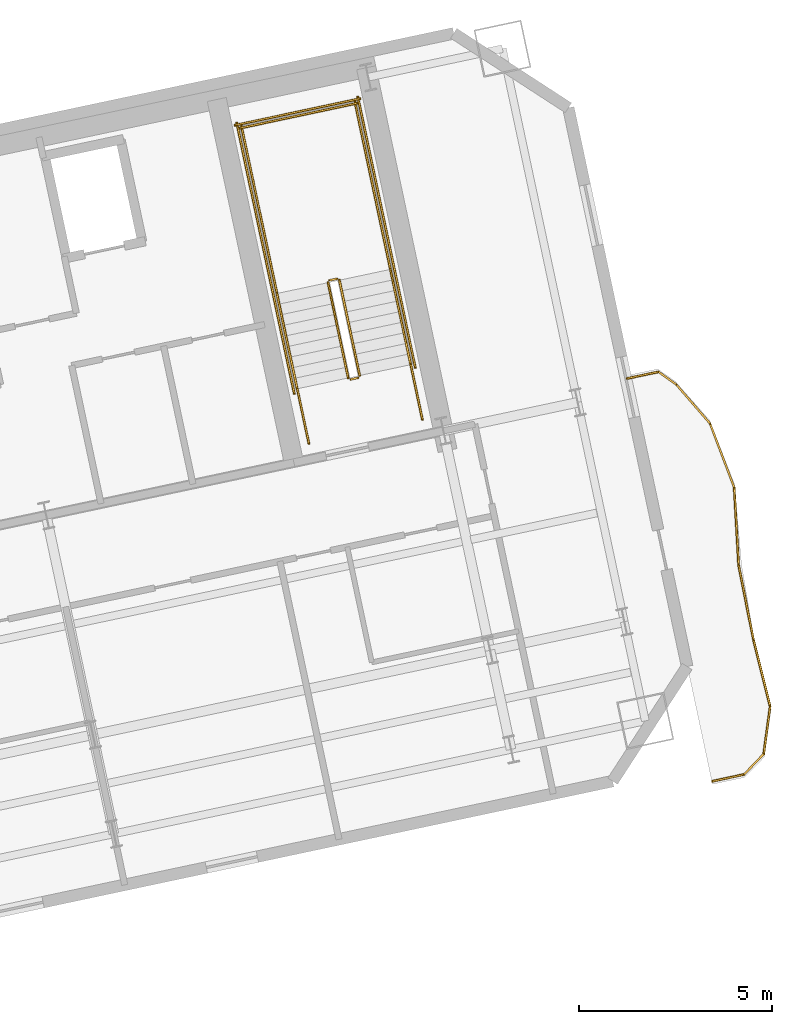
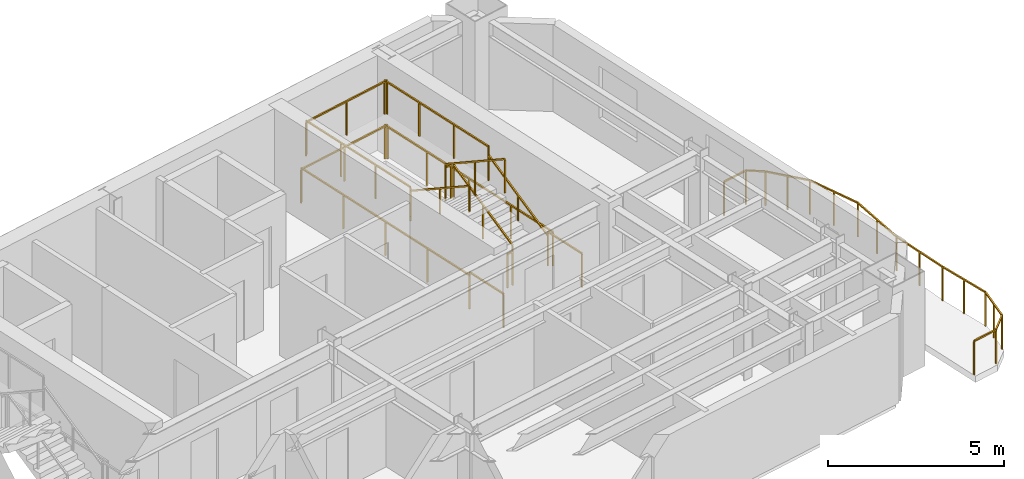
# One storey, part 14 of 14: 24 railings.
"""IFC4 building model written with IfcOpenShell, lengths in metres."""

from ifc_helpers import new_model, si_unit, direction, frame, origin, origin_2d, place, context, subcontext, project, spatial, rectangle, extrude, material, type_object, element, save


model = new_model("IFC4")

# Units and contexts
model_context = context("Model", 3, precision=1e-05, world=origin(), true_north=direction((0.0, 1.0)))
body_context = subcontext(model_context, "Body", "Model", "MODEL_VIEW")
ifc_project = project(units=[si_unit("LENGTHUNIT", "METRE"), si_unit("AREAUNIT", "SQUARE_METRE"), si_unit("VOLUMEUNIT", "CUBIC_METRE"), si_unit("PLANEANGLEUNIT", "RADIAN"), si_unit("MASSUNIT", "GRAM", prefix="KILO")], contexts=[model_context])

# Site, building, storey
site_placement = place(None, origin())
site = spatial("IfcSite", under=ifc_project, at=site_placement, CompositionType="ELEMENT")
building_placement = place(site_placement, origin())
building = spatial("IfcBuilding", under=site, at=building_placement, Name="Haevon Station Towers", CompositionType="ELEMENT")
storey_placement = place(building_placement, frame((0.0, 0.0, 179.10009765625)))
storey = spatial("IfcBuildingStorey", under=building, at=storey_placement, Name="L49", CompositionType="ELEMENT", Elevation=179.10009765625)

# Railings
ifc_material = material(Name="Steel S355", Category="steel")
railing_type_1 = type_object("IfcRailingType", Name="GRD-EXT1200", PredefinedType="GUARDRAIL", material=ifc_material)
railing_1_placement = place(storey_placement, frame((126.25244140625, 32.750244140625, 0.0)))
element("IfcRailing", 1, at=railing_1_placement, inside=storey, type_object=railing_type_1, Name="L49 Perimeter Guardrail 1", PredefinedType="GUARDRAIL", context=body_context, shape_type="SweptSolid", body=[
    extrude(rectangle(XDim=0.048095703125, YDim=0.048095703125, at=origin_2d()), frame((0.0, 0.0, 1.17578125), z_axis=(0.977678572445, 0.210106185017, 0.0), x_axis=(-0.210106185017, 0.977678572445, 0.0)), (0.0, 0.0, 1.0), 0.837890625),
    extrude(rectangle(XDim=0.0419921875, YDim=0.0419921875, at=origin_2d()), origin(), (0.0, 0.0, 1.0), 1.15185546875),
    extrude(rectangle(XDim=0.0419921875, YDim=0.0419921875, at=origin_2d()), frame((0.819091796875, 0.176025390625, 0.0)), (0.0, 0.0, 1.0), 1.15185546875),
])
railing_2_placement = place(storey_placement, frame((127.071533203125, 32.92626953125, 0.0)))
element("IfcRailing", 2, at=railing_2_placement, inside=storey, type_object=railing_type_1, Name="L49 Perimeter Guardrail 2", PredefinedType="GUARDRAIL", context=body_context, shape_type="SweptSolid", body=[
    extrude(rectangle(XDim=0.048095703125, YDim=0.048095703125, at=origin_2d()), frame((0.0, 0.0, 1.17578125), z_axis=(0.691571499126, 0.722308010198, 0.0), x_axis=(-0.722308010198, 0.691571499126, 0.0)), (0.0, 0.0, 1.0), 0.730712890625),
    extrude(rectangle(XDim=0.0419921875, YDim=0.0419921875, at=origin_2d()), origin(), (0.0, 0.0, 1.0), 1.15185546875),
    extrude(rectangle(XDim=0.0419921875, YDim=0.0419921875, at=origin_2d()), frame((0.50537109375, 0.52783203125, 0.0)), (0.0, 0.0, 1.0), 1.15185546875),
])
railing_3_placement = place(storey_placement, frame((127.576904296875, 33.4541015625, 0.0)))
element("IfcRailing", 3, at=railing_3_placement, inside=storey, type_object=railing_type_1, Name="L49 Perimeter Guardrail 3", PredefinedType="GUARDRAIL", context=body_context, shape_type="SweptSolid", body=[
    extrude(rectangle(XDim=0.048095703125, YDim=0.048095703125, at=origin_2d()), frame((0.0, 0.0, 1.17578125), z_axis=(0.134183834214, 0.990956456478, 0.0), x_axis=(-0.990956456478, 0.134183834214, 0.0)), (0.0, 0.0, 1.0), 1.24267578125),
    extrude(rectangle(XDim=0.0419921875, YDim=0.0419921875, at=origin_2d()), origin(), (0.0, 0.0, 1.0), 1.15185546875),
    extrude(rectangle(XDim=0.0419921875, YDim=0.0419921875, at=origin_2d()), frame((0.08349609375, 0.61572265625, 0.0)), (0.0, 0.0, 1.0), 1.15185546875),
    extrude(rectangle(XDim=0.0419921875, YDim=0.0419921875, at=origin_2d()), frame((0.166748046875, 1.2314453125, 0.0)), (0.0, 0.0, 1.0), 1.15185546875),
])
railing_4_placement = place(storey_placement, frame((127.74365234375, 34.685546875, 0.0)))
element("IfcRailing", 4, at=railing_4_placement, inside=storey, type_object=railing_type_1, Name="L49 Perimeter Guardrail 4", PredefinedType="GUARDRAIL", context=body_context, shape_type="SweptSolid", body=[
    extrude(rectangle(XDim=0.048095703125, YDim=0.048095703125, at=origin_2d()), frame((0.0, 0.0, 1.17578125), z_axis=(-0.243814635362, 0.969821851467, 0.0), x_axis=(-0.969821851467, -0.243814635362, 0.0)), (0.0, 0.0, 1.0), 1.751220703125),
    extrude(rectangle(XDim=0.0419921875, YDim=0.0419921875, at=origin_2d()), origin(), (0.0, 0.0, 1.0), 1.15185546875),
    extrude(rectangle(XDim=0.0419921875, YDim=0.0419921875, at=origin_2d()), frame((-0.21337890625, 0.84912109375, 0.0)), (0.0, 0.0, 1.0), 1.15185546875),
    extrude(rectangle(XDim=0.0419921875, YDim=0.0419921875, at=origin_2d()), frame((-0.427001953125, 1.698486328125, 0.0)), (0.0, 0.0, 1.0), 1.15185546875),
])
railing_5_placement = place(storey_placement, frame((127.316650390625, 36.384033203125, 0.0)))
element("IfcRailing", 5, at=railing_5_placement, inside=storey, type_object=railing_type_1, Name="L49 Perimeter Guardrail 5", PredefinedType="GUARDRAIL", context=body_context, shape_type="SweptSolid", body=[
    extrude(rectangle(XDim=0.048095703125, YDim=0.048095703125, at=origin_2d()), frame((0.0, 0.0, 1.17578125), z_axis=(-0.195384427419, 0.980726733358, 0.0), x_axis=(-0.980726733358, -0.195384427419, 0.0)), (0.0, 0.0, 1.0), 1.9892578125),
    extrude(rectangle(XDim=0.0419921875, YDim=0.0419921875, at=origin_2d()), origin(), (0.0, 0.0, 1.0), 1.15185546875),
    extrude(rectangle(XDim=0.0419921875, YDim=0.0419921875, at=origin_2d()), frame((-0.1943359375, 0.9755859375, 0.0)), (0.0, 0.0, 1.0), 1.15185546875),
    extrude(rectangle(XDim=0.0419921875, YDim=0.0419921875, at=origin_2d()), frame((-0.388671875, 1.950927734375, 0.0)), (0.0, 0.0, 1.0), 1.15185546875),
])
railing_6_placement = place(storey_placement, frame((126.927978515625, 38.3349609375, 0.0)))
element("IfcRailing", 6, at=railing_6_placement, inside=storey, type_object=railing_type_1, Name="L49 Perimeter Guardrail 6", PredefinedType="GUARDRAIL", context=body_context, shape_type="SweptSolid", body=[
    extrude(rectangle(XDim=0.048095703125, YDim=0.048095703125, at=origin_2d()), frame((0.0, 0.0, 1.17578125), z_axis=(-0.056784289916, 0.998386470471, 0.0), x_axis=(-0.998386470471, -0.056784289916, 0.0)), (0.0, 0.0, 1.0), 2.016357421875),
    extrude(rectangle(XDim=0.0419921875, YDim=0.0419921875, at=origin_2d()), origin(), (0.0, 0.0, 1.0), 1.15185546875),
    extrude(rectangle(XDim=0.0419921875, YDim=0.0419921875, at=origin_2d()), frame((-0.05712890625, 1.006591796875, 0.0)), (0.0, 0.0, 1.0), 1.15185546875),
    extrude(rectangle(XDim=0.0419921875, YDim=0.0419921875, at=origin_2d()), frame((-0.114501953125, 2.01318359375, 0.0)), (0.0, 0.0, 1.0), 1.15185546875),
])
railing_7_placement = place(storey_placement, frame((126.8134765625, 40.34814453125, 0.0)))
element("IfcRailing", 7, at=railing_7_placement, inside=storey, type_object=railing_type_1, Name="L49 Perimeter Guardrail 7", PredefinedType="GUARDRAIL", context=body_context, shape_type="SweptSolid", body=[
    extrude(rectangle(XDim=0.048095703125, YDim=0.048095703125, at=origin_2d()), frame((0.0, 0.0, 1.17578125), z_axis=(-0.353620917853, 0.935388821003, 0.0), x_axis=(-0.935388821003, -0.353620917853, 0.0)), (0.0, 0.0, 1.0), 1.766845703125),
    extrude(rectangle(XDim=0.0419921875, YDim=0.0419921875, at=origin_2d()), origin(), (0.0, 0.0, 1.0), 1.15185546875),
    extrude(rectangle(XDim=0.0419921875, YDim=0.0419921875, at=origin_2d()), frame((-0.3125, 0.826171875, 0.0)), (0.0, 0.0, 1.0), 1.15185546875),
    extrude(rectangle(XDim=0.0419921875, YDim=0.0419921875, at=origin_2d()), frame((-0.624755859375, 1.652587890625, 0.0)), (0.0, 0.0, 1.0), 1.15185546875),
])
railing_8_placement = place(storey_placement, frame((126.188720703125, 42.000732421875, 0.0)))
element("IfcRailing", 8, at=railing_8_placement, inside=storey, type_object=railing_type_1, Name="L49 Perimeter Guardrail 8", PredefinedType="GUARDRAIL", context=body_context, shape_type="SweptSolid", body=[
    extrude(rectangle(XDim=0.048095703125, YDim=0.048095703125, at=origin_2d()), frame((0.0, 0.0, 1.17578125), z_axis=(-0.654770507085, 0.755827746945, 0.0), x_axis=(-0.755827746945, -0.654770507085, 0.0)), (0.0, 0.0, 1.0), 1.3359375),
    extrude(rectangle(XDim=0.0419921875, YDim=0.0419921875, at=origin_2d()), origin(), (0.0, 0.0, 1.0), 1.15185546875),
    extrude(rectangle(XDim=0.0419921875, YDim=0.0419921875, at=origin_2d()), frame((-0.4375, 0.5048828125, 0.0)), (0.0, 0.0, 1.0), 1.15185546875),
    extrude(rectangle(XDim=0.0419921875, YDim=0.0419921875, at=origin_2d()), frame((-0.874755859375, 1.009765625, 0.0)), (0.0, 0.0, 1.0), 1.15185546875),
])
railing_9_placement = place(storey_placement, frame((125.31396484375, 43.010498046875, 0.0)))
element("IfcRailing", 9, at=railing_9_placement, inside=storey, type_object=railing_type_1, Name="L49 Perimeter Guardrail 9", PredefinedType="GUARDRAIL", context=body_context, shape_type="SweptSolid", body=[
    extrude(rectangle(XDim=0.048095703125, YDim=0.048095703125, at=origin_2d()), frame((0.0, 0.0, 1.17578125), z_axis=(-0.814707407917, 0.579872261352, 0.0), x_axis=(-0.579872261352, -0.814707407917, 0.0)), (0.0, 0.0, 1.0), 0.558349609375),
    extrude(rectangle(XDim=0.0419921875, YDim=0.0419921875, at=origin_2d()), origin(), (0.0, 0.0, 1.0), 1.15185546875),
    extrude(rectangle(XDim=0.0419921875, YDim=0.0419921875, at=origin_2d()), frame((-0.454833984375, 0.32373046875, 0.0)), (0.0, 0.0, 1.0), 1.15185546875),
])
railing_10_placement = place(storey_placement, frame((124.859130859375, 43.334228515625, 0.0)))
element("IfcRailing", 10, at=railing_10_placement, inside=storey, type_object=railing_type_1, Name="L49 Perimeter Guardrail 10", PredefinedType="GUARDRAIL", context=body_context, shape_type="SweptSolid", body=[
    extrude(rectangle(XDim=0.048095703125, YDim=0.048095703125, at=origin_2d()), frame((0.0, 0.0, 1.17578125), z_axis=(-0.978664046531, -0.205466990115, 0.0), x_axis=(0.205466990115, -0.978664046531, 0.0)), (0.0, 0.0, 1.0), 0.837646484375),
    extrude(rectangle(XDim=0.0419921875, YDim=0.0419921875, at=origin_2d()), origin(), (0.0, 0.0, 1.0), 1.15185546875),
    extrude(rectangle(XDim=0.0419921875, YDim=0.0419921875, at=origin_2d()), frame((-0.81982421875, -0.172119140625, 0.0)), (0.0, 0.0, 1.0), 1.15185546875),
])
railing_type_2 = type_object("IfcRailingType", Name="GRD-STR1200", PredefinedType="GUARDRAIL", material=ifc_material)
railing_11_placement = place(storey_placement, frame((117.128662109375, 43.23974609375, 0.164794921875)))
element("IfcRailing", 11, at=railing_11_placement, inside=storey, type_object=railing_type_2, Name="L49 ST4 Stair Guard 1", PredefinedType="GUARDRAIL", context=body_context, shape_type="SweptSolid", body=[
    extrude(rectangle(XDim=0.048095703125, YDim=0.048095703125, at=origin_2d()), frame((0.0, 0.0, 1.17578125), z_axis=(-0.179121265225, 0.842687928106, 0.507732831485), x_axis=(-0.978147030254, -0.207914374695, 0.0)), (0.0, 0.0, 1.0), 2.925048828125),
    extrude(rectangle(XDim=0.0419921875, YDim=0.0419921875, at=origin_2d()), origin(), (0.0, 0.0, 1.0), 1.15185546875),
    extrude(rectangle(XDim=0.0419921875, YDim=0.0419921875, at=origin_2d()), frame((-0.261962890625, 1.232421875, 0.74267578125)), (0.0, 0.0, 1.0), 1.15185546875),
    extrude(rectangle(XDim=0.0419921875, YDim=0.0419921875, at=origin_2d()), frame((-0.52392578125, 2.46484375, 1.485107421875)), (0.0, 0.0, 1.0), 1.15185546875),
])
railing_12_placement = place(storey_placement, frame((116.54541015625, 45.7431640625, 1.64990234375)))
element("IfcRailing", 12, at=railing_12_placement, inside=storey, type_object=railing_type_2, Name="L49 ST4 Stair Guard 2", PredefinedType="GUARDRAIL", context=body_context, shape_type="SweptSolid", body=[
    extrude(rectangle(XDim=0.048095703125, YDim=0.048095703125, at=origin_2d()), frame((0.0, 0.0, 1.17578125), z_axis=(-0.97826412705, -0.207362720198, 0.0), x_axis=(0.207362720198, -0.97826412705, 0.0)), (0.0, 0.0, 1.0), 0.2001953125),
    extrude(rectangle(XDim=0.0419921875, YDim=0.0419921875, at=origin_2d()), origin(), (0.0, 0.0, 1.0), 1.15185546875),
    extrude(rectangle(XDim=0.0419921875, YDim=0.0419921875, at=origin_2d()), frame((-0.19580078125, -0.04150390625, 0.0)), (0.0, 0.0, 1.0), 1.15185546875),
])
railing_13_placement = place(storey_placement, frame((117.925048828125, 45.9853515625, 1.64990234375)))
element("IfcRailing", 13, at=railing_13_placement, inside=storey, type_object=railing_type_2, Name="L49 ST4 Stair Guard 3", PredefinedType="GUARDRAIL", context=body_context, shape_type="SweptSolid", body=[
    extrude(rectangle(XDim=0.048095703125, YDim=0.048095703125, at=origin_2d()), frame((0.0, 0.0, 1.17578125), z_axis=(-0.207876551949, 0.978155069071, 0.0), x_axis=(-0.978155069071, -0.207876551949, 0.0)), (0.0, 0.0, 1.0), 4.429931640625),
    extrude(rectangle(XDim=0.0419921875, YDim=0.0419921875, at=origin_2d()), origin(), (0.0, 0.0, 1.0), 1.15185546875),
    extrude(rectangle(XDim=0.0419921875, YDim=0.0419921875, at=origin_2d()), frame((-0.306884765625, 1.4443359375, 0.0)), (0.0, 0.0, 1.0), 1.15185546875),
    extrude(rectangle(XDim=0.0419921875, YDim=0.0419921875, at=origin_2d()), frame((-0.614013671875, 2.888916015625, 0.0)), (0.0, 0.0, 1.0), 1.15185546875),
    extrude(rectangle(XDim=0.0419921875, YDim=0.0419921875, at=origin_2d()), frame((-0.9208984375, 4.333251953125, 0.0)), (0.0, 0.0, 1.0), 1.15185546875),
])
railing_14_placement = place(storey_placement, frame((114.99072265625, 45.361572265625, 1.64990234375)))
element("IfcRailing", 14, at=railing_14_placement, inside=storey, type_object=railing_type_2, Name="L49 ST4 Stair Guard 4", PredefinedType="GUARDRAIL", context=body_context, shape_type="SweptSolid", body=[
    extrude(rectangle(XDim=0.048095703125, YDim=0.048095703125, at=origin_2d()), frame((0.0, 0.0, 1.17578125), z_axis=(-0.207929280007, 0.978143861871, 0.0), x_axis=(-0.978143861871, -0.207929280007, 0.0)), (0.0, 0.0, 1.0), 4.43017578125),
    extrude(rectangle(XDim=0.0419921875, YDim=0.0419921875, at=origin_2d()), origin(), (0.0, 0.0, 1.0), 1.15185546875),
    extrude(rectangle(XDim=0.0419921875, YDim=0.0419921875, at=origin_2d()), frame((-0.30712890625, 1.4443359375, 0.0)), (0.0, 0.0, 1.0), 1.15185546875),
    extrude(rectangle(XDim=0.0419921875, YDim=0.0419921875, at=origin_2d()), frame((-0.614013671875, 2.888916015625, 0.0)), (0.0, 0.0, 1.0), 1.15185546875),
    extrude(rectangle(XDim=0.0419921875, YDim=0.0419921875, at=origin_2d()), frame((-0.921142578125, 4.333251953125, 0.0)), (0.0, 0.0, 1.0), 1.15185546875),
])
railing_15_placement = place(storey_placement, frame((117.0634765625, 50.280029296875, 1.64990234375)))
element("IfcRailing", 15, at=railing_15_placement, inside=storey, type_object=railing_type_2, Name="L49 ST4 Stair Guard 5", PredefinedType="GUARDRAIL", context=body_context, shape_type="SweptSolid", body=[
    extrude(rectangle(XDim=0.048095703125, YDim=0.048095703125, at=origin_2d()), frame((0.0, 0.0, 1.17578125), z_axis=(-0.978146839882, -0.207915270313, 0.0), x_axis=(0.207915270313, -0.978146839882, 0.0)), (0.0, 0.0, 1.0), 3.099853515625),
    extrude(rectangle(XDim=0.0419921875, YDim=0.0419921875, at=origin_2d()), origin(), (0.0, 0.0, 1.0), 1.15185546875),
    extrude(rectangle(XDim=0.0419921875, YDim=0.0419921875, at=origin_2d()), frame((-1.51611328125, -0.322265625, 0.0)), (0.0, 0.0, 1.0), 1.15185546875),
    extrude(rectangle(XDim=0.0419921875, YDim=0.0419921875, at=origin_2d()), frame((-3.0322265625, -0.64453125, 0.0)), (0.0, 0.0, 1.0), 1.15185546875),
])
railing_16_placement = place(storey_placement, frame((116.311279296875, 45.642333984375, 1.81494140625)))
element("IfcRailing", 16, at=railing_16_placement, inside=storey, type_object=railing_type_2, Name="L49 ST4 Stair Guard 6", PredefinedType="GUARDRAIL", context=body_context, shape_type="SweptSolid", body=[
    extrude(rectangle(XDim=0.048095703125, YDim=0.048095703125, at=origin_2d()), frame((0.0, 0.0, 1.17578125), z_axis=(0.179116256339, -0.842747828638, 0.507635168246), x_axis=(0.978151217824, 0.207894673017, 0.0)), (0.0, 0.0, 1.0), 2.925048828125),
    extrude(rectangle(XDim=0.0419921875, YDim=0.0419921875, at=origin_2d()), origin(), (0.0, 0.0, 1.0), 1.15185546875),
    extrude(rectangle(XDim=0.0419921875, YDim=0.0419921875, at=origin_2d()), frame((0.261962890625, -1.232421875, 0.742431640625)), (0.0, 0.0, 1.0), 1.15185546875),
    extrude(rectangle(XDim=0.0419921875, YDim=0.0419921875, at=origin_2d()), frame((0.52392578125, -2.465087890625, 1.48486328125)), (0.0, 0.0, 1.0), 1.15185546875),
])
railing_17_placement = place(storey_placement, frame((117.090087890625, 43.180419921875, 0.0)))
element("IfcRailing", 17, at=railing_17_placement, inside=storey, type_object=railing_type_2, Name="L49 ST4 Stair Guard 7", PredefinedType="GUARDRAIL", context=body_context, shape_type="SweptSolid", body=[
    extrude(rectangle(XDim=0.048095703125, YDim=0.048095703125, at=origin_2d()), frame((0.0, 0.0, 1.17578125), z_axis=(-0.978211583308, -0.207610448392, 0.0), x_axis=(0.207610448392, -0.978211583308, 0.0)), (0.0, 0.0, 1.0), 0.199951171875),
    extrude(rectangle(XDim=0.0419921875, YDim=0.0419921875, at=origin_2d()), origin(), (0.0, 0.0, 1.0), 1.15185546875),
    extrude(rectangle(XDim=0.0419921875, YDim=0.0419921875, at=origin_2d()), frame((-0.195556640625, -0.04150390625, 0.0)), (0.0, 0.0, 1.0), 1.15185546875),
])
for number, where, name in (
    (18, (118.75048828125, 42.10205078125, 0.0), "L49 ST4 Stair Guard 8"),
    (19, (115.816162109375, 41.478271484375, 0.0), "L49 ST4 Stair Guard 9"),
):
    element("IfcRailing", number, at=place(storey_placement, frame(where)), inside=storey, type_object=railing_type_2, Name=name, PredefinedType="GUARDRAIL", context=body_context, shape_type="SweptSolid", body=[
        extrude(rectangle(XDim=0.048095703125, YDim=0.048095703125, at=origin_2d()), frame((0.0, 0.0, 1.17578125), z_axis=(-0.207919161079, 0.978146012851, 0.0), x_axis=(-0.978146012851, -0.207919161079, 0.0)), (0.0, 0.0, 1.0), 1.4501953125),
        extrude(rectangle(XDim=0.0419921875, YDim=0.0419921875, at=origin_2d()), origin(), (0.0, 0.0, 1.0), 1.15185546875),
        extrude(rectangle(XDim=0.0419921875, YDim=0.0419921875, at=origin_2d()), frame((-0.301513671875, 1.41845703125, 0.0)), (0.0, 0.0, 1.0), 1.15185546875),
    ])
railing_18_placement = place(storey_placement, frame((118.567626953125, 43.443359375, 0.0)))
element("IfcRailing", 20, at=railing_18_placement, inside=storey, type_object=railing_type_2, Name="L49 ST4 Stair Guard 10", PredefinedType="GUARDRAIL", context=body_context, shape_type="SweptSolid", body=[
    extrude(rectangle(XDim=0.048095703125, YDim=0.048095703125, at=origin_2d()), frame((0.0, 0.0, 1.17578125), z_axis=(-0.207908168386, 0.978148349443, 0.0), x_axis=(-0.978148349443, -0.207908168386, 0.0)), (0.0, 0.0, 1.0), 7.150146484375),
    extrude(rectangle(XDim=0.0419921875, YDim=0.0419921875, at=origin_2d()), origin(), (0.0, 0.0, 1.0), 1.15185546875),
    extrude(rectangle(XDim=0.0419921875, YDim=0.0419921875, at=origin_2d()), frame((-0.37158203125, 1.74853515625, 0.0)), (0.0, 0.0, 1.0), 1.15185546875),
    extrude(rectangle(XDim=0.0419921875, YDim=0.0419921875, at=origin_2d()), frame((-0.7431640625, 3.4970703125, 0.0)), (0.0, 0.0, 1.0), 1.15185546875),
    extrude(rectangle(XDim=0.0419921875, YDim=0.0419921875, at=origin_2d()), frame((-1.114990234375, 5.245361328125, 0.0)), (0.0, 0.0, 1.0), 1.15185546875),
    extrude(rectangle(XDim=0.0419921875, YDim=0.0419921875, at=origin_2d()), frame((-1.486572265625, 6.993896484375, 0.0)), (0.0, 0.0, 1.0), 1.15185546875),
])
railing_19_placement = place(storey_placement, frame((115.4375, 42.778076171875, 0.0)))
element("IfcRailing", 21, at=railing_19_placement, inside=storey, type_object=railing_type_2, Name="L49 ST4 Stair Guard 11", PredefinedType="GUARDRAIL", context=body_context, shape_type="SweptSolid", body=[
    extrude(rectangle(XDim=0.048095703125, YDim=0.048095703125, at=origin_2d()), frame((0.0, 0.0, 1.17578125), z_axis=(-0.207882442208, 0.978153817261, 0.0), x_axis=(-0.978153817261, -0.207882442208, 0.0)), (0.0, 0.0, 1.0), 7.14990234375),
    extrude(rectangle(XDim=0.0419921875, YDim=0.0419921875, at=origin_2d()), origin(), (0.0, 0.0, 1.0), 1.15185546875),
    extrude(rectangle(XDim=0.0419921875, YDim=0.0419921875, at=origin_2d()), frame((-0.37158203125, 1.74853515625, 0.0)), (0.0, 0.0, 1.0), 1.15185546875),
    extrude(rectangle(XDim=0.0419921875, YDim=0.0419921875, at=origin_2d()), frame((-0.7431640625, 3.496826171875, 0.0)), (0.0, 0.0, 1.0), 1.15185546875),
    extrude(rectangle(XDim=0.0419921875, YDim=0.0419921875, at=origin_2d()), frame((-1.11474609375, 5.2451171875, 0.0)), (0.0, 0.0, 1.0), 1.15185546875),
    extrude(rectangle(XDim=0.0419921875, YDim=0.0419921875, at=origin_2d()), frame((-1.486328125, 6.99365234375, 0.0)), (0.0, 0.0, 1.0), 1.15185546875),
])
railing_20_placement = place(storey_placement, frame((117.140380859375, 50.398681640625, 0.0)))
element("IfcRailing", 22, at=railing_20_placement, inside=storey, type_object=railing_type_2, Name="L49 ST4 Stair Guard 12", PredefinedType="GUARDRAIL", context=body_context, shape_type="SweptSolid", body=[
    extrude(rectangle(XDim=0.048095703125, YDim=0.048095703125, at=origin_2d()), frame((0.0, 0.0, 1.17578125), z_axis=(-0.978135717418, -0.207967589567, 0.0), x_axis=(0.207967589567, -0.978135717418, 0.0)), (0.0, 0.0, 1.0), 3.300048828125),
    extrude(rectangle(XDim=0.0419921875, YDim=0.0419921875, at=origin_2d()), origin(), (0.0, 0.0, 1.0), 1.15185546875),
    extrude(rectangle(XDim=0.0419921875, YDim=0.0419921875, at=origin_2d()), frame((-1.61376953125, -0.34326171875, 0.0)), (0.0, 0.0, 1.0), 1.15185546875),
    extrude(rectangle(XDim=0.0419921875, YDim=0.0419921875, at=origin_2d()), frame((-3.227783203125, -0.686279296875, 0.0)), (0.0, 0.0, 1.0), 1.15185546875),
])
railing_type_3 = type_object("IfcRailingType", Name="HND-STR900", PredefinedType="HANDRAIL", material=ifc_material)
railing_21_placement = place(storey_placement, frame((118.448974609375, 43.5205078125, 0.164794921875)))
element("IfcRailing", 23, at=railing_21_placement, inside=storey, type_object=railing_type_3, Name="L49 ST4 Stair Handrail 1", PredefinedType="HANDRAIL", context=body_context, shape_type="SweptSolid", body=[
    extrude(rectangle(XDim=0.048095703125, YDim=0.048095703125, at=origin_2d()), frame((0.0, 0.0, 0.8759765625), z_axis=(-0.179121265225, 0.842687928106, 0.507732831485), x_axis=(-0.978147030254, -0.207914374695, 0.0)), (0.0, 0.0, 1.0), 2.925048828125),
    extrude(rectangle(XDim=0.0419921875, YDim=0.0419921875, at=origin_2d()), origin(), (0.0, 0.0, 1.0), 0.851806640625),
    extrude(rectangle(XDim=0.0419921875, YDim=0.0419921875, at=origin_2d()), frame((-0.261962890625, 1.232421875, 0.74267578125)), (0.0, 0.0, 1.0), 0.851806640625),
    extrude(rectangle(XDim=0.0419921875, YDim=0.0419921875, at=origin_2d()), frame((-0.52392578125, 2.46484375, 1.485107421875)), (0.0, 0.0, 1.0), 0.851806640625),
])
railing_22_placement = place(storey_placement, frame((114.99072265625, 45.361572265625, 1.81494140625)))
element("IfcRailing", 24, at=railing_22_placement, inside=storey, type_object=railing_type_3, Name="L49 ST4 Stair Handrail 2", PredefinedType="HANDRAIL", context=body_context, shape_type="SweptSolid", body=[
    extrude(rectangle(XDim=0.048095703125, YDim=0.048095703125, at=origin_2d()), frame((0.0, 0.0, 0.8759765625), z_axis=(0.179128856099, -0.842723639875, 0.507670877349), x_axis=(0.978147030254, 0.207914374695, 0.0)), (0.0, 0.0, 1.0), 2.9248046875),
    extrude(rectangle(XDim=0.0419921875, YDim=0.0419921875, at=origin_2d()), origin(), (0.0, 0.0, 1.0), 0.851806640625),
    extrude(rectangle(XDim=0.0419921875, YDim=0.0419921875, at=origin_2d()), frame((0.261962890625, -1.232421875, 0.742431640625)), (0.0, 0.0, 1.0), 0.851806640625),
    extrude(rectangle(XDim=0.0419921875, YDim=0.0419921875, at=origin_2d()), frame((0.52392578125, -2.46484375, 1.48486328125)), (0.0, 0.0, 1.0), 0.851806640625),
])

save(model, "model.ifc")
